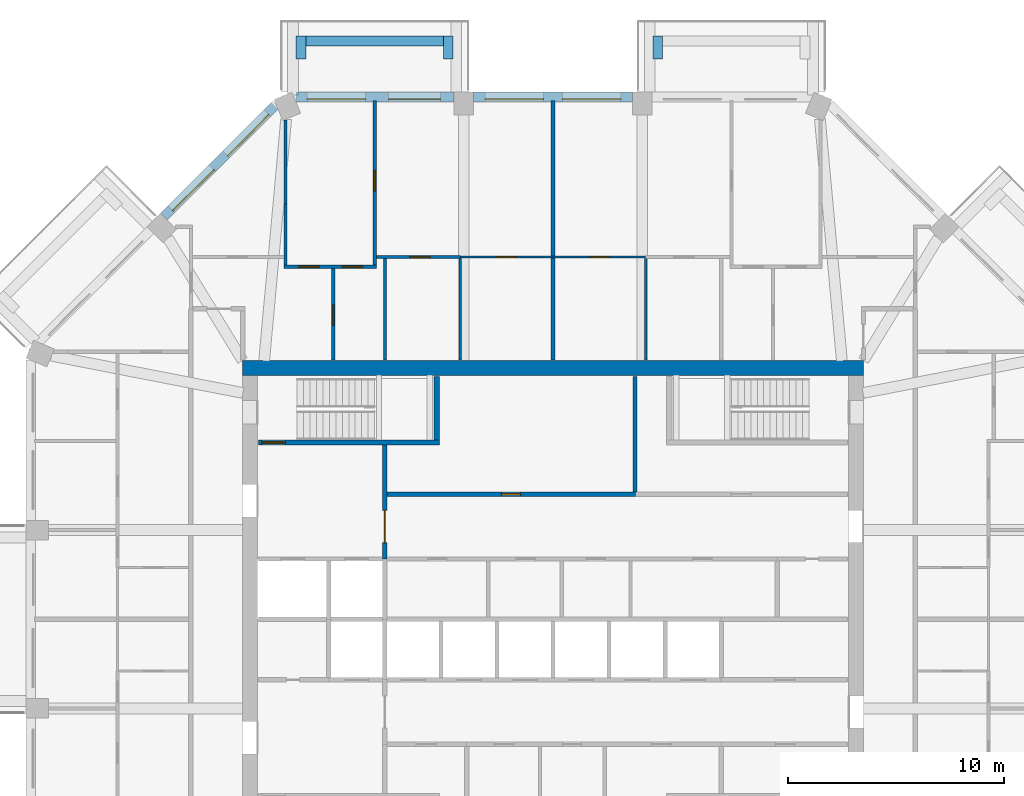
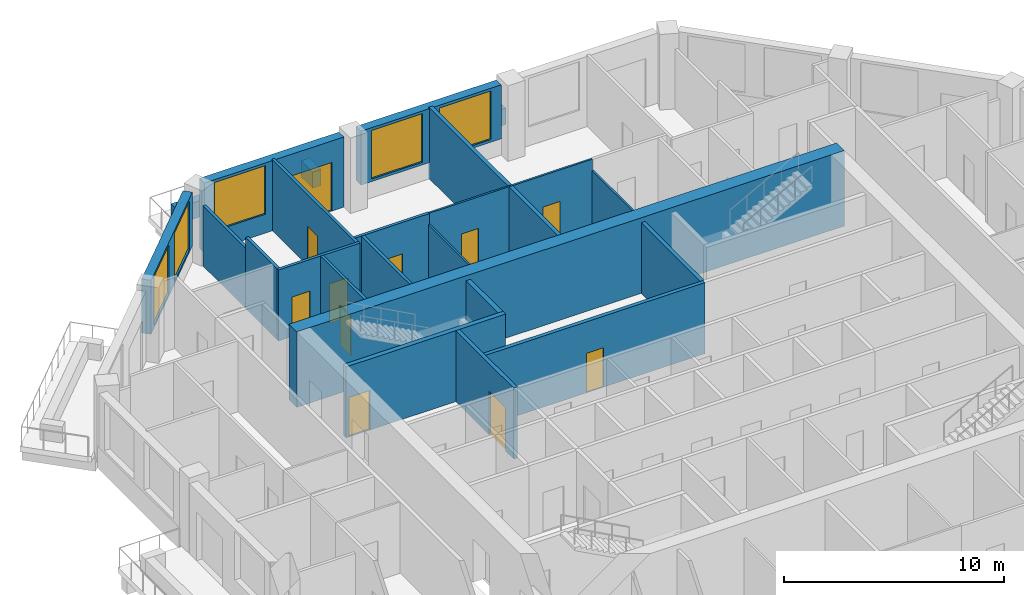
# One storey, part 8 of 12: 25 walls, 11 doors, 5 windows, 16 openings.
"""IFC4 building model written with IfcOpenShell, lengths in metres."""

from ifc_helpers import new_model, si_unit, direction, frame, frame_2d, origin, place, context, subcontext, project, spatial, rectangle, extrude, material, layer, layer_set, type_object, element, fill, save


model = new_model("IFC4")

# Units and contexts
model_context = context("Model", 3, precision=1e-05, world=origin(), true_north=direction((0.0, 1.0)))
body_context = subcontext(model_context, "Body", "Model", "MODEL_VIEW")
ifc_project = project(units=[si_unit("LENGTHUNIT", "METRE"), si_unit("AREAUNIT", "SQUARE_METRE"), si_unit("VOLUMEUNIT", "CUBIC_METRE"), si_unit("PLANEANGLEUNIT", "RADIAN"), si_unit("MASSUNIT", "GRAM", prefix="KILO")], contexts=[model_context])

# Site, building, storey
site_placement = place(None, origin())
site = spatial("IfcSite", under=ifc_project, at=site_placement, CompositionType="ELEMENT")
building_placement = place(site_placement, origin())
building = spatial("IfcBuilding", under=site, at=building_placement, Name="Msitu Wima Residences", CompositionType="ELEMENT")
storey_placement = place(building_placement, frame((0.0, 0.0, 179.10009765625)))
storey = spatial("IfcBuildingStorey", under=building, at=storey_placement, Name="L41", CompositionType="ELEMENT", Elevation=179.10009765625)

# Walls
ifc_material_1 = material(Name="Facing brick")
ifc_layer_1 = layer(ifc_material_1, 0.06494140625, Name="Facing brick")
ifc_material_2 = material(Name="Concrete C40/50", Category="concrete")
ifc_layer_2 = layer(ifc_material_2, 0.156005859375, Name="Concrete C40/50")
ifc_material_3 = material(Name="Waterproofing membrane")
ifc_layer_3 = layer(ifc_material_3, 0.00390625, Name="Waterproofing membrane")
ifc_material_4 = material(Name="Planting soil and planting")
ifc_layer_4 = layer(ifc_material_4, 0.22509765625, Name="Planting soil and planting")
ifc_layer_set_1 = layer_set([ifc_layer_1, ifc_layer_2, ifc_layer_3, ifc_layer_4], Name="Concrete C40/50")
wall_type_1 = type_object("IfcWallType", Name="Balcony planter PLANTER PL450", PredefinedType="USERDEFINED", material=ifc_layer_set_1)
wall_1_placement = place(storey_placement, frame((4.8623046875, 26.0, 0.0), z_axis=(0.0, 0.0, 1.0), x_axis=(0.0, 1.0, 0.0)))
element("IfcWall", 1, at=wall_1_placement, inside=storey, type_object=wall_type_1, Name="Balcony planter N0 L41", ObjectType="PLANTER", PredefinedType="USERDEFINED", context=body_context, shape_type="SweptSolid", body=[
    extrude(rectangle(XDim=1.050048828125, YDim=0.449951171875, at=frame_2d((0.52490234375, 0.0))), origin(), (0.0, 0.0, 1.0), 0.89990234375),
])
wall_2_placement = place(storey_placement, frame((-5.087158203125, 26.824951171875, 0.0), z_axis=(0.0, 0.0, 1.0), x_axis=(-1.0, 0.0, 0.0)))
element("IfcWall", 2, at=wall_2_placement, inside=storey, type_object=wall_type_1, Name="Balcony planter N2 L41", ObjectType="PLANTER", PredefinedType="USERDEFINED", context=body_context, shape_type="SweptSolid", body=[
    extrude(rectangle(XDim=6.37451171875, YDim=0.449951171875, at=frame_2d((3.187255859375, 0.0))), origin(), (0.0, 0.0, 1.0), 0.89990234375),
])
for number, where, z_axis, x_axis, name in (
    (3, (-4.8623046875, 26.0, 0.0), (0.0, 0.0, 1.0), (0.0, 1.0, 0.0), "Balcony planter N2 L41"),
    (4, (-11.686767578125, 26.0, 0.0), (0.0, 0.0, 1.0), (0.0, 1.0, 0.0), "Balcony planter N2 L41"),
):
    element("IfcWall", number, at=place(storey_placement, frame(where, z_axis=z_axis, x_axis=x_axis)), inside=storey, type_object=wall_type_1, Name=name, ObjectType="PLANTER", PredefinedType="USERDEFINED", context=body_context, shape_type="SweptSolid", body=[
        extrude(rectangle(XDim=1.050048828125, YDim=0.449951171875, at=frame_2d((0.52490234375, 0.0))), origin(), (0.0, 0.0, 1.0), 0.89990234375),
    ])

# Wall, openings, windows
ifc_material_5 = material(Name="Brick (red buff mix)", Category="masonry")
ifc_layer_5 = layer(ifc_material_5, 0.449951171875)
ifc_layer_set_2 = layer_set([ifc_layer_5], Name="Brick (red buff mix)")
wall_type_2 = type_object("IfcWallType", Name="Brick infill wall BW450", PredefinedType="SOLIDWALL", material=ifc_layer_set_2)
wall_3_placement = place(storey_placement, frame((3.687255859375, 24.22509765625, 0.89990234375), z_axis=(0.0, 0.0, 1.0), x_axis=(-1.0, 0.0, 0.0)))
wall_3 = element("IfcWall", 5, at=wall_3_placement, inside=storey, type_object=wall_type_2, Name="Brick infill wall L41 N1", PredefinedType="SOLIDWALL", context=body_context, shape_type="SweptSolid", body=[
    extrude(rectangle(XDim=7.37451171875, YDim=0.449951171875, at=frame_2d((3.687255859375, 0.0))), origin(), (0.0, 0.0, 1.0), 3.0),
])
opening_1_placement = place(wall_3_placement, frame((0.537353515625, 0.0, 0.14990234375)))
opening_1 = element("IfcOpeningElement", 6, at=opening_1_placement, cuts=wall_3, Name="Opening W40-42.007", PredefinedType="OPENING", context=body_context, shape_type="SweptSolid", body=[
    extrude(rectangle(XDim=2.699951171875, YDim=2.699951171875, at=frame_2d((1.35009765625, 1.35009765625))), frame((0.0, 0.23486328125, 0.0), z_axis=(0.0, -1.0, 0.0), x_axis=(1.0, 0.0, 0.0)), (0.0, 0.0, 1.0), 0.469970703125),
])
opening_2_placement = place(wall_3_placement, frame((4.13720703125, 0.0, 0.14990234375)))
opening_2 = element("IfcOpeningElement", 7, at=opening_2_placement, cuts=wall_3, Name="Opening W40-42.008", PredefinedType="OPENING", context=body_context, shape_type="SweptSolid", body=[
    extrude(rectangle(XDim=2.699951171875, YDim=2.699951171875, at=frame_2d((1.35009765625, 1.35009765625))), frame((0.0, 0.23486328125, 0.0), z_axis=(0.0, -1.0, 0.0), x_axis=(1.0, 0.0, 0.0)), (0.0, 0.0, 1.0), 0.469970703125),
])
ifc_material_6 = material(Name="Anodised aluminium, bronze finish, clear low-emissivity double glazing", Category="aluminium")
window_type = type_object("IfcWindowType", Name="Window W2700x2700", PartitioningType="DOUBLE_PANEL_VERTICAL", PredefinedType="WINDOW", material=ifc_material_6)
window_1_placement = place(opening_1_placement, origin())
window_1 = element("IfcWindow", 8, at=window_1_placement, inside=storey, type_object=window_type, Name="Window L41 N1.1", OverallHeight=2.699951171875, OverallWidth=2.699951171875, PartitioningType="SINGLE_PANEL", PredefinedType="WINDOW", context=body_context, shape_type="SweptSolid", body=[
    extrude(rectangle(XDim=2.699951171875, YDim=2.699951171875, at=frame_2d((1.35009765625, 1.35009765625))), frame((0.0, 0.135009765625, 0.0), z_axis=(0.0, -1.0, 0.0), x_axis=(1.0, 0.0, 0.0)), (0.0, 0.0, 1.0), 0.06005859375),
])
fill(opening_1, window_1)
window_2_placement = place(opening_2_placement, origin())
window_2 = element("IfcWindow", 9, at=window_2_placement, inside=storey, type_object=window_type, Name="Window L41 N1.2", OverallHeight=2.699951171875, OverallWidth=2.699951171875, PartitioningType="SINGLE_PANEL", PredefinedType="WINDOW", context=body_context, shape_type="SweptSolid", body=[
    extrude(rectangle(XDim=2.699951171875, YDim=2.699951171875, at=frame_2d((1.35009765625, 1.35009765625))), frame((0.0, 0.135009765625, 0.0), z_axis=(0.0, -1.0, 0.0), x_axis=(1.0, 0.0, 0.0)), (0.0, 0.0, 1.0), 0.06005859375),
])
fill(opening_2, window_2)

# Wall, openings, door, window
wall_4_placement = place(storey_placement, frame((-4.587158203125, 24.22509765625, 0.0), z_axis=(0.0, 0.0, 1.0), x_axis=(-1.0, 0.0, 0.0)))
wall_4 = element("IfcWall", 10, at=wall_4_placement, inside=storey, type_object=wall_type_2, Name="Brick infill wall L41 N2", PredefinedType="SOLIDWALL", context=body_context, shape_type="SweptSolid", body=[
    extrude(rectangle(XDim=7.337646484375, YDim=0.449951171875, at=frame_2d((3.6689453125, 0.0))), origin(), (0.0, 0.0, 1.0), 3.89990234375),
])
opening_3_placement = place(wall_4_placement, frame((0.63427734375, 0.0, 0.0)))
opening_3 = element("IfcOpeningElement", 11, at=opening_3_placement, cuts=wall_4, Name="Opening D40-42.003", PredefinedType="OPENING", context=body_context, shape_type="SweptSolid", body=[
    extrude(rectangle(XDim=2.39990234375, YDim=2.699951171875, at=frame_2d((1.199951171875, 1.35009765625))), frame((0.0, 0.23486328125, 0.0), z_axis=(0.0, -1.0, 0.0), x_axis=(1.0, 0.0, 0.0)), (0.0, 0.0, 1.0), 0.469970703125),
])
opening_4_placement = place(wall_4_placement, frame((4.11865234375, 0.0, 1.050048828125)))
opening_4 = element("IfcOpeningElement", 12, at=opening_4_placement, cuts=wall_4, Name="Opening W40-42.009", PredefinedType="OPENING", context=body_context, shape_type="SweptSolid", body=[
    extrude(rectangle(XDim=2.699951171875, YDim=2.699951171875, at=frame_2d((1.35009765625, 1.35009765625))), frame((0.0, 0.23486328125, 0.0), z_axis=(0.0, -1.0, 0.0), x_axis=(1.0, 0.0, 0.0)), (0.0, 0.0, 1.0), 0.469970703125),
])
door_type_1 = type_object("IfcDoorType", Name="Balcony door D2400x2700", OperationType="SLIDING_TO_LEFT", PredefinedType="DOOR", material=ifc_material_6)
door_1_placement = place(opening_3_placement, origin())
door_1 = element("IfcDoor", 13, at=door_1_placement, inside=storey, type_object=door_type_1, Name="Balcony door L41 N2", OperationType="SINGLE_SWING_LEFT", OverallHeight=2.699951171875, OverallWidth=2.39990234375, PredefinedType="DOOR", context=body_context, shape_type="SweptSolid", body=[
    extrude(rectangle(XDim=2.39990234375, YDim=2.699951171875, at=frame_2d((1.199951171875, 1.35009765625))), frame((0.0, 0.1298828125, 0.0), z_axis=(0.0, -1.0, 0.0), x_axis=(1.0, 0.0, 0.0)), (0.0, 0.0, 1.0), 0.050048828125),
])
fill(opening_3, door_1)
window_3_placement = place(opening_4_placement, origin())
window_3 = element("IfcWindow", 14, at=window_3_placement, inside=storey, type_object=window_type, Name="Window L41 N2.2", OverallHeight=2.699951171875, OverallWidth=2.699951171875, PartitioningType="SINGLE_PANEL", PredefinedType="WINDOW", context=body_context, shape_type="SweptSolid", body=[
    extrude(rectangle(XDim=2.699951171875, YDim=2.699951171875, at=frame_2d((1.35009765625, 1.35009765625))), frame((0.0, 0.135009765625, 0.0), z_axis=(0.0, -1.0, 0.0), x_axis=(1.0, 0.0, 0.0)), (0.0, 0.0, 1.0), 0.06005859375),
])
fill(opening_4, window_3)

# Wall, openings, windows
wall_5_placement = place(storey_placement, frame((-12.915283203125, 23.814697265625, 0.89990234375), z_axis=(0.0, 0.0, 1.0), x_axis=(-0.707106781187, -0.707106781187, 0.0)))
wall_5 = element("IfcWall", 15, at=wall_5_placement, inside=storey, type_object=wall_type_2, Name="Brick infill wall L41 NW0", PredefinedType="SOLIDWALL", context=body_context, shape_type="SweptSolid", body=[
    extrude(rectangle(XDim=7.257080078125, YDim=0.449951171875, at=frame_2d((3.62841796875, 0.0))), origin(), (0.0, 0.0, 1.0), 3.0),
])
opening_5_placement = place(wall_5_placement, frame((0.478515625, 0.0, 0.14990234375)))
opening_5 = element("IfcOpeningElement", 16, at=opening_5_placement, cuts=wall_5, Name="Opening W40-42.013", PredefinedType="OPENING", context=body_context, shape_type="SweptSolid", body=[
    extrude(rectangle(XDim=2.699951171875, YDim=2.699951171875, at=frame_2d((1.35009765625, 1.35009765625))), frame((0.0, 0.23486328125, 0.0), z_axis=(0.0, -1.0, 0.0), x_axis=(1.0, 0.0, 0.0)), (0.0, 0.0, 1.0), 0.469970703125),
])
opening_6_placement = place(wall_5_placement, frame((4.07861328125, 0.0, 0.14990234375)))
opening_6 = element("IfcOpeningElement", 17, at=opening_6_placement, cuts=wall_5, Name="Opening W40-42.014", PredefinedType="OPENING", context=body_context, shape_type="SweptSolid", body=[
    extrude(rectangle(XDim=2.699951171875, YDim=2.699951171875, at=frame_2d((1.35009765625, 1.35009765625))), frame((0.0, 0.23486328125, 0.0), z_axis=(0.0, -1.0, 0.0), x_axis=(1.0, 0.0, 0.0)), (0.0, 0.0, 1.0), 0.469970703125),
])
window_4_placement = place(opening_5_placement, origin())
window_4 = element("IfcWindow", 18, at=window_4_placement, inside=storey, type_object=window_type, Name="Window L41 NW0.1", OverallHeight=2.699951171875, OverallWidth=2.699951171875, PartitioningType="SINGLE_PANEL", PredefinedType="WINDOW", context=body_context, shape_type="SweptSolid", body=[
    extrude(rectangle(XDim=2.699951171875, YDim=2.699951171875, at=frame_2d((1.35009765625, 1.35009765625))), frame((0.0, 0.135009765625, 0.0), z_axis=(0.0, -1.0, 0.0), x_axis=(1.0, 0.0, 0.0)), (0.0, 0.0, 1.0), 0.06005859375),
])
fill(opening_5, window_4)
window_5_placement = place(opening_6_placement, origin())
window_5 = element("IfcWindow", 19, at=window_5_placement, inside=storey, type_object=window_type, Name="Window L41 NW0.2", OverallHeight=2.699951171875, OverallWidth=2.699951171875, PartitioningType="SINGLE_PANEL", PredefinedType="WINDOW", context=body_context, shape_type="SweptSolid", body=[
    extrude(rectangle(XDim=2.699951171875, YDim=2.699951171875, at=frame_2d((1.35009765625, 1.35009765625))), frame((0.0, 0.135009765625, 0.0), z_axis=(0.0, -1.0, 0.0), x_axis=(1.0, 0.0, 0.0)), (0.0, 0.0, 1.0), 0.06005859375),
])
fill(opening_6, window_5)

# Wall
ifc_material_7 = material(Name="Concrete C60/75", Category="concrete")
ifc_layer_6 = layer(ifc_material_7, 0.699951171875)
ifc_layer_set_3 = layer_set([ifc_layer_6], Name="Concrete C60/75")
wall_type_3 = type_object("IfcWallType", Name="Core wall CW700 C60/75", PredefinedType="SHEAR", material=ifc_layer_set_3)
wall_6_placement = place(storey_placement, frame((-14.39990234375, 11.64990234375, 0.0), z_axis=(0.0, 0.0, 1.0), x_axis=(1.0, 0.0, 0.0)))
element("IfcWall", 20, at=wall_6_placement, inside=storey, type_object=wall_type_3, Name="Core wall", PredefinedType="SHEAR", context=body_context, shape_type="SweptSolid", body=[
    extrude(rectangle(XDim=28.7998046875, YDim=0.699951171875, at=frame_2d((14.39990234375, 0.0))), origin(), (0.0, 0.0, 1.0), 4.199951171875),
])

# Wall, opening, door
ifc_material_8 = material(Name="Plaster")
ifc_layer_7 = layer(ifc_material_8, 0.011962890625, Name="Plaster")
ifc_material_9 = material(Name="Concrete blockwork", Category="masonry")
ifc_layer_8 = layer(ifc_material_9, 0.176025390625, Name="Concrete blockwork")
ifc_layer_9 = layer(ifc_material_8, 0.011962890625, Name="Plaster")
ifc_layer_set_4 = layer_set([ifc_layer_7, ifc_layer_8, ifc_layer_9], Name="Concrete blockwork")
wall_type_4 = type_object("IfcWallType", Name="Corridor wall FW200", PredefinedType="PARTITIONING", material=ifc_layer_set_4)
wall_7_placement = place(storey_placement, frame((-7.800048828125, 2.800048828125, 0.0), z_axis=(0.0, 0.0, 1.0), x_axis=(0.0, 1.0, 0.0)))
wall_7 = element("IfcWall", 21, at=wall_7_placement, inside=storey, type_object=wall_type_4, Name="Corridor wall", PredefinedType="PARTITIONING", context=body_context, shape_type="SweptSolid", body=[
    extrude(rectangle(XDim=5.27490234375, YDim=0.199951171875, at=frame_2d((2.637451171875, 0.0))), origin(), (0.0, 0.0, 1.0), 3.949951171875),
])
opening_7_placement = place(wall_7_placement, frame((0.75, 0.0, 0.0)))
opening_7 = element("IfcOpeningElement", 22, at=opening_7_placement, cuts=wall_7, Name="Opening D40-42.069", PredefinedType="OPENING", context=body_context, shape_type="SweptSolid", body=[
    extrude(rectangle(XDim=1.5, YDim=2.39990234375, at=frame_2d((0.75, 1.199951171875))), frame((0.0, 0.10986328125, 0.0), z_axis=(0.0, -1.0, 0.0), x_axis=(1.0, 0.0, 0.0)), (0.0, 0.0, 1.0), 0.219970703125),
])
ifc_material_10 = material(Name="Steel framed glazed door, fire resisting", Category="steel")
door_type_2 = type_object("IfcDoorType", Name="Lobby door D07 1500x2400", OperationType="DOUBLE_DOOR_SINGLE_SWING", PredefinedType="DOOR", material=ifc_material_10)
door_2_placement = place(opening_7_placement, origin())
door_2 = element("IfcDoor", 23, at=door_2_placement, inside=storey, type_object=door_type_2, Name="Lobby door", OperationType="DOUBLE_DOOR_SINGLE_SWING", OverallHeight=2.39990234375, OverallWidth=1.5, PredefinedType="DOOR", context=body_context, shape_type="SweptSolid", body=[
    extrude(rectangle(XDim=1.5, YDim=2.39990234375, at=frame_2d((0.75, 1.199951171875))), frame((0.0, 0.02490234375, 0.0), z_axis=(0.0, -1.0, 0.0), x_axis=(1.0, 0.0, 0.0)), (0.0, 0.0, 1.0), 0.050048828125),
])
fill(opening_7, door_2)

wall_8_placement = place(storey_placement, frame((-7.699951171875, 5.800048828125, 0.0), z_axis=(0.0, 0.0, 1.0), x_axis=(1.0, 0.0, 0.0)))
wall_8 = element("IfcWall", 24, at=wall_8_placement, inside=storey, type_object=wall_type_4, Name="Corridor wall", PredefinedType="PARTITIONING", context=body_context, shape_type="SweptSolid", body=[
    extrude(rectangle(XDim=11.52001953125, YDim=0.199951171875, at=frame_2d((5.760009765625, 0.0))), origin(), (0.0, 0.0, 1.0), 3.949951171875),
])
opening_8_placement = place(wall_8_placement, frame((5.300048828125, 0.0, 0.0)))
opening_8 = element("IfcOpeningElement", 25, at=opening_8_placement, cuts=wall_8, Name="Opening D40-42.072", PredefinedType="OPENING", context=body_context, shape_type="SweptSolid", body=[
    extrude(rectangle(XDim=0.89990234375, YDim=2.199951171875, at=frame_2d((0.449951171875, 1.10009765625))), frame((0.0, 0.10986328125, 0.0), z_axis=(0.0, -1.0, 0.0), x_axis=(1.0, 0.0, 0.0)), (0.0, 0.0, 1.0), 0.219970703125),
])
ifc_material_11 = material(Name="Timber flush door", Category="wood")
door_type_3 = type_object("IfcDoorType", Name="Service door D05 900x2200", OperationType="SINGLE_SWING_LEFT", PredefinedType="DOOR", material=ifc_material_11)
door_3_placement = place(opening_8_placement, origin())
door_3 = element("IfcDoor", 26, at=door_3_placement, inside=storey, type_object=door_type_3, Name="Service door", OperationType="SINGLE_SWING_LEFT", OverallHeight=2.199951171875, OverallWidth=0.89990234375, PredefinedType="DOOR", context=body_context, shape_type="SweptSolid", body=[
    extrude(rectangle(XDim=0.89990234375, YDim=2.199951171875, at=frame_2d((0.449951171875, 1.10009765625))), frame((0.0, 0.02490234375, 0.0), z_axis=(0.0, -1.0, 0.0), x_axis=(1.0, 0.0, 0.0)), (0.0, 0.0, 1.0), 0.050048828125),
])
fill(opening_8, door_3)

# Walls
ifc_layer_10 = layer(ifc_material_8, 0.011962890625, Name="Plaster")
ifc_layer_11 = layer(ifc_material_9, 0.1259765625, Name="Concrete blockwork")
ifc_layer_12 = layer(ifc_material_8, 0.011962890625, Name="Plaster")
ifc_layer_set_5 = layer_set([ifc_layer_10, ifc_layer_11, ifc_layer_12], Name="Concrete blockwork")
wall_type_5 = type_object("IfcWallType", Name="Partition PW150", PredefinedType="PARTITIONING", material=ifc_layer_set_5)
wall_9_placement = place(storey_placement, frame((-12.411865234375, 16.425048828125, 0.0), z_axis=(0.0, 0.0, 1.0), x_axis=(0.0, 1.0, 0.0)))
element("IfcWall", 27, at=wall_9_placement, inside=storey, type_object=wall_type_5, Name="Partition", PredefinedType="PARTITIONING", context=body_context, shape_type="SweptSolid", body=[
    extrude(rectangle(XDim=2.845458984375, YDim=0.14990234375, at=frame_2d((1.4228515625, 0.0))), origin(), (0.0, 0.0, 1.0), 3.949951171875),
])
wall_10_placement = place(storey_placement, frame((-12.411865234375, 19.2705078125, 0.0), z_axis=(0.0, 0.0, 1.0), x_axis=(0.0, 1.0, 0.0)))
element("IfcWall", 28, at=wall_10_placement, inside=storey, type_object=wall_type_5, Name="Partition", PredefinedType="PARTITIONING", context=body_context, shape_type="SweptSolid", body=[
    extrude(rectangle(XDim=3.8984375, YDim=0.14990234375, at=frame_2d((1.94921875, 0.0))), origin(), (0.0, 0.0, 1.0), 3.349853515625),
])

# Wall, openings, doors
wall_11_placement = place(storey_placement, frame((-12.48681640625, 16.35009765625, 0.0), z_axis=(0.0, 0.0, 1.0), x_axis=(1.0, 0.0, 0.0)))
wall_11 = element("IfcWall", 29, at=wall_11_placement, inside=storey, type_object=wall_type_5, Name="Partition", PredefinedType="PARTITIONING", context=body_context, shape_type="SweptSolid", body=[
    extrude(rectangle(XDim=4.287353515625, YDim=0.14990234375, at=frame_2d((2.1435546875, 0.0))), origin(), (0.0, 0.0, 1.0), 3.949951171875),
])
opening_9_placement = place(wall_11_placement, frame((0.699951171875, 0.0, 0.0)))
opening_9 = element("IfcOpeningElement", 30, at=opening_9_placement, cuts=wall_11, Name="Opening D40-42.031", PredefinedType="OPENING", context=body_context, shape_type="SweptSolid", body=[
    extrude(rectangle(XDim=0.949951171875, YDim=2.199951171875, at=frame_2d((0.47509765625, 1.10009765625))), frame((0.0, 0.0849609375, 0.0), z_axis=(0.0, -1.0, 0.0), x_axis=(1.0, 0.0, 0.0)), (0.0, 0.0, 1.0), 0.169921875),
])
opening_10_placement = place(wall_11_placement, frame((2.699951171875, 0.0, 0.0)))
opening_10 = element("IfcOpeningElement", 31, at=opening_10_placement, cuts=wall_11, Name="Opening D40-42.030", PredefinedType="OPENING", context=body_context, shape_type="SweptSolid", body=[
    extrude(rectangle(XDim=0.949951171875, YDim=2.199951171875, at=frame_2d((0.47509765625, 1.10009765625))), frame((0.0, 0.0849609375, 0.0), z_axis=(0.0, -1.0, 0.0), x_axis=(1.0, 0.0, 0.0)), (0.0, 0.0, 1.0), 0.169921875),
])
door_type_4 = type_object("IfcDoorType", Name="Room door D12 950x2200", OperationType="SINGLE_SWING_LEFT", PredefinedType="DOOR", material=ifc_material_11)
door_4_placement = place(opening_9_placement, origin())
door_4 = element("IfcDoor", 32, at=door_4_placement, inside=storey, type_object=door_type_4, Name="Room door", OperationType="SINGLE_SWING_LEFT", OverallHeight=2.199951171875, OverallWidth=0.949951171875, PredefinedType="DOOR", context=body_context, shape_type="SweptSolid", body=[
    extrude(rectangle(XDim=0.949951171875, YDim=2.199951171875, at=frame_2d((0.47509765625, 1.10009765625))), frame((0.0, 0.02490234375, 0.0), z_axis=(0.0, -1.0, 0.0), x_axis=(1.0, 0.0, 0.0)), (0.0, 0.0, 1.0), 0.050048828125),
])
fill(opening_9, door_4)
door_5_placement = place(opening_10_placement, origin())
door_5 = element("IfcDoor", 33, at=door_5_placement, inside=storey, type_object=door_type_4, Name="Room door", OperationType="SINGLE_SWING_RIGHT", OverallHeight=2.199951171875, OverallWidth=0.949951171875, PredefinedType="DOOR", context=body_context, shape_type="SweptSolid", body=[
    extrude(rectangle(XDim=0.949951171875, YDim=2.199951171875, at=frame_2d((0.47509765625, 1.10009765625))), frame((0.0, 0.02490234375, 0.0), z_axis=(0.0, -1.0, 0.0), x_axis=(1.0, 0.0, 0.0)), (0.0, 0.0, 1.0), 0.050048828125),
])
fill(opening_10, door_5)

# Wall, opening, door
wall_12_placement = place(storey_placement, frame((-10.199951171875, 12.030029296875, 0.0), z_axis=(0.0, 0.0, 1.0), x_axis=(0.0, 1.0, 0.0)))
wall_12 = element("IfcWall", 34, at=wall_12_placement, inside=storey, type_object=wall_type_5, Name="Partition", PredefinedType="PARTITIONING", context=body_context, shape_type="SweptSolid", body=[
    extrude(rectangle(XDim=4.244873046875, YDim=0.14990234375, at=frame_2d((2.12255859375, 0.0))), origin(), (0.0, 0.0, 1.0), 3.949951171875),
])
opening_11_placement = place(wall_12_placement, frame((1.60009765625, 0.0, 0.0)))
opening_11 = element("IfcOpeningElement", 35, at=opening_11_placement, cuts=wall_12, Name="Opening D40-42.026", PredefinedType="OPENING", context=body_context, shape_type="SweptSolid", body=[
    extrude(rectangle(XDim=0.949951171875, YDim=2.199951171875, at=frame_2d((0.47509765625, 1.10009765625))), frame((0.0, 0.0849609375, 0.0), z_axis=(0.0, -1.0, 0.0), x_axis=(1.0, 0.0, 0.0)), (0.0, 0.0, 1.0), 0.169921875),
])
door_6_placement = place(opening_11_placement, origin())
door_6 = element("IfcDoor", 36, at=door_6_placement, inside=storey, type_object=door_type_4, Name="Room door", OperationType="SINGLE_SWING_RIGHT", OverallHeight=2.199951171875, OverallWidth=0.949951171875, PredefinedType="DOOR", context=body_context, shape_type="SweptSolid", body=[
    extrude(rectangle(XDim=0.949951171875, YDim=2.199951171875, at=frame_2d((0.47509765625, 1.10009765625))), frame((0.0, 0.02490234375, 0.0), z_axis=(0.0, -1.0, 0.0), x_axis=(1.0, 0.0, 0.0)), (0.0, 0.0, 1.0), 0.050048828125),
])
fill(opening_11, door_6)

wall_13_placement = place(storey_placement, frame((-8.2744140625, 16.425048828125, 0.0), z_axis=(0.0, 0.0, 1.0), x_axis=(0.0, 1.0, 0.0)))
wall_13 = element("IfcWall", 37, at=wall_13_placement, inside=storey, type_object=wall_type_5, Name="Partition", PredefinedType="PARTITIONING", context=body_context, shape_type="SweptSolid", body=[
    extrude(rectangle(XDim=7.6298828125, YDim=0.14990234375, at=frame_2d((3.81494140625, 0.0))), origin(), (0.0, 0.0, 1.0), 3.949951171875),
])
opening_12_placement = place(wall_13_placement, frame((3.449951171875, 0.0, 0.0)))
opening_12 = element("IfcOpeningElement", 38, at=opening_12_placement, cuts=wall_13, Name="Opening D40-42.034", PredefinedType="OPENING", context=body_context, shape_type="SweptSolid", body=[
    extrude(rectangle(XDim=0.949951171875, YDim=2.199951171875, at=frame_2d((0.47509765625, 1.10009765625))), frame((0.0, 0.0849609375, 0.0), z_axis=(0.0, -1.0, 0.0), x_axis=(1.0, 0.0, 0.0)), (0.0, 0.0, 1.0), 0.169921875),
])
door_7_placement = place(opening_12_placement, origin())
door_7 = element("IfcDoor", 39, at=door_7_placement, inside=storey, type_object=door_type_4, Name="Room door", OperationType="SINGLE_SWING_LEFT", OverallHeight=2.199951171875, OverallWidth=0.949951171875, PredefinedType="DOOR", context=body_context, shape_type="SweptSolid", body=[
    extrude(rectangle(XDim=0.949951171875, YDim=2.199951171875, at=frame_2d((0.47509765625, 1.10009765625))), frame((0.0, 0.02490234375, 0.0), z_axis=(0.0, -1.0, 0.0), x_axis=(1.0, 0.0, 0.0)), (0.0, 0.0, 1.0), 0.050048828125),
])
fill(opening_12, door_7)

wall_14_placement = place(storey_placement, frame((-8.199462890625, 16.800048828125, 0.0), z_axis=(0.0, 0.0, 1.0), x_axis=(1.0, 0.0, 0.0)))
wall_14 = element("IfcWall", 40, at=wall_14_placement, inside=storey, type_object=wall_type_5, Name="Partition", PredefinedType="PARTITIONING", context=body_context, shape_type="SweptSolid", body=[
    extrude(rectangle(XDim=3.8994140625, YDim=0.14990234375, at=frame_2d((1.94970703125, 0.0))), origin(), (0.0, 0.0, 1.0), 3.949951171875),
])
opening_13_placement = place(wall_14_placement, frame((1.550048828125, 0.0, 0.0)))
opening_13 = element("IfcOpeningElement", 41, at=opening_13_placement, cuts=wall_14, Name="Opening D40-42.028", PredefinedType="OPENING", context=body_context, shape_type="SweptSolid", body=[
    extrude(rectangle(XDim=0.949951171875, YDim=2.199951171875, at=frame_2d((0.47509765625, 1.10009765625))), frame((0.0, 0.0849609375, 0.0), z_axis=(0.0, -1.0, 0.0), x_axis=(1.0, 0.0, 0.0)), (0.0, 0.0, 1.0), 0.169921875),
])
door_8_placement = place(opening_13_placement, origin())
door_8 = element("IfcDoor", 42, at=door_8_placement, inside=storey, type_object=door_type_4, Name="Room door", OperationType="SINGLE_SWING_LEFT", OverallHeight=2.199951171875, OverallWidth=0.949951171875, PredefinedType="DOOR", context=body_context, shape_type="SweptSolid", body=[
    extrude(rectangle(XDim=0.949951171875, YDim=2.199951171875, at=frame_2d((0.47509765625, 1.10009765625))), frame((0.0, 0.02490234375, 0.0), z_axis=(0.0, -1.0, 0.0), x_axis=(1.0, 0.0, 0.0)), (0.0, 0.0, 1.0), 0.050048828125),
])
fill(opening_13, door_8)

# Walls
wall_15_placement = place(storey_placement, frame((-7.800048828125, 12.030029296875, 0.0), z_axis=(0.0, 0.0, 1.0), x_axis=(0.0, 1.0, 0.0)))
element("IfcWall", 43, at=wall_15_placement, inside=storey, type_object=wall_type_5, Name="Partition", PredefinedType="PARTITIONING", context=body_context, shape_type="SweptSolid", body=[
    extrude(rectangle(XDim=4.695068359375, YDim=0.14990234375, at=frame_2d((2.34765625, 0.0))), origin(), (0.0, 0.0, 1.0), 3.949951171875),
])
ifc_layer_13 = layer(ifc_material_8, 0.011962890625, Name="Plaster")
ifc_material_12 = material(Name="Dense concrete blockwork", Category="masonry")
ifc_layer_14 = layer(ifc_material_12, 0.176025390625, Name="Dense concrete blockwork")
ifc_layer_15 = layer(ifc_material_8, 0.011962890625, Name="Plaster")
ifc_layer_set_6 = layer_set([ifc_layer_13, ifc_layer_14, ifc_layer_15], Name="Dense concrete blockwork")
wall_type_6 = type_object("IfcWallType", Name="Party wall PW200", PredefinedType="PARTITIONING", material=ifc_layer_set_6)
wall_16_placement = place(storey_placement, frame((0.0, 12.030029296875, 0.0), z_axis=(0.0, 0.0, 1.0), x_axis=(0.0, 1.0, 0.0)))
element("IfcWall", 44, at=wall_16_placement, inside=storey, type_object=wall_type_6, Name="Party wall", PredefinedType="PARTITIONING", context=body_context, shape_type="SweptSolid", body=[
    extrude(rectangle(XDim=12.02490234375, YDim=0.199951171875, at=frame_2d((6.012451171875, 0.0))), origin(), (0.0, 0.0, 1.0), 3.949951171875),
])
ifc_layer_16 = layer(ifc_material_8, 0.011962890625, Name="Plaster")
ifc_material_13 = material(Name="Reinforced concrete blockwork", Category="masonry")
ifc_layer_17 = layer(ifc_material_13, 0.176025390625, Name="Reinforced concrete blockwork")
ifc_layer_18 = layer(ifc_material_8, 0.011962890625, Name="Plaster")
ifc_layer_set_7 = layer_set([ifc_layer_16, ifc_layer_17, ifc_layer_18], Name="Reinforced concrete blockwork")
wall_type_7 = type_object("IfcWallType", Name="Plant and riser wall PL200", PredefinedType="PARTITIONING", material=ifc_layer_set_7)
wall_17_placement = place(storey_placement, frame((3.800048828125, 5.89990234375, 0.0), z_axis=(0.0, 0.0, 1.0), x_axis=(0.0, 1.0, 0.0)))
element("IfcWall", 45, at=wall_17_placement, inside=storey, type_object=wall_type_7, Name="Plant and riser wall", PredefinedType="PARTITIONING", context=body_context, shape_type="SweptSolid", body=[
    extrude(rectangle(XDim=5.3701171875, YDim=0.199951171875, at=frame_2d((2.68505859375, 0.0))), origin(), (0.0, 0.0, 1.0), 3.949951171875),
])

# Wall, opening, door
ifc_material_14 = material(Name="Concrete C50/60", Category="concrete")
ifc_layer_19 = layer(ifc_material_14, 0.25)
ifc_layer_set_8 = layer_set([ifc_layer_19], Name="Concrete C50/60")
wall_type_8 = type_object("IfcWallType", Name="Stair enclosure wall SW250", PredefinedType="SHEAR", material=ifc_layer_set_8)
wall_18_placement = place(storey_placement, frame((-13.669921875, 8.199951171875, 0.0), z_axis=(0.0, 0.0, 1.0), x_axis=(1.0, 0.0, 0.0)))
wall_18 = element("IfcWall", 46, at=wall_18_placement, inside=storey, type_object=wall_type_8, Name="Stair enclosure wall", PredefinedType="SHEAR", context=body_context, shape_type="SweptSolid", body=[
    extrude(rectangle(XDim=8.39501953125, YDim=0.25, at=frame_2d((4.197509765625, 0.0))), origin(), (0.0, 0.0, 1.0), 3.949951171875),
])
opening_14_placement = place(wall_18_placement, frame((0.14990234375, 0.0, 0.0)))
opening_14 = element("IfcOpeningElement", 47, at=opening_14_placement, cuts=wall_18, Name="Opening D40-42.088", PredefinedType="OPENING", context=body_context, shape_type="SweptSolid", body=[
    extrude(rectangle(XDim=1.10009765625, YDim=2.199951171875, at=frame_2d((0.550048828125, 1.10009765625))), frame((0.0, 0.135009765625, 0.0), z_axis=(0.0, -1.0, 0.0), x_axis=(1.0, 0.0, 0.0)), (0.0, 0.0, 1.0), 0.27001953125),
])
ifc_material_15 = material(Name="Steel door, fire resisting, panic bar", Category="steel")
door_type_5 = type_object("IfcDoorType", Name="Stair door D06 1100x2200", OperationType="SINGLE_SWING_LEFT", PredefinedType="DOOR", material=ifc_material_15)
door_9_placement = place(opening_14_placement, origin())
door_9 = element("IfcDoor", 48, at=door_9_placement, inside=storey, type_object=door_type_5, Name="Stair door", OperationType="SINGLE_SWING_LEFT", OverallHeight=2.199951171875, OverallWidth=1.10009765625, PredefinedType="DOOR", context=body_context, shape_type="SweptSolid", body=[
    extrude(rectangle(XDim=1.10009765625, YDim=2.199951171875, at=frame_2d((0.550048828125, 1.10009765625))), frame((0.0, 0.02490234375, 0.0), z_axis=(0.0, -1.0, 0.0), x_axis=(1.0, 0.0, 0.0)), (0.0, 0.0, 1.0), 0.050048828125),
])
fill(opening_14, door_9)

# Walls
wall_19_placement = place(storey_placement, frame((-5.39990234375, 8.324951171875, 0.0), z_axis=(0.0, 0.0, 1.0), x_axis=(0.0, 1.0, 0.0)))
element("IfcWall", 49, at=wall_19_placement, inside=storey, type_object=wall_type_8, Name="Stair enclosure wall", PredefinedType="SHEAR", context=body_context, shape_type="SweptSolid", body=[
    extrude(rectangle(XDim=2.945068359375, YDim=0.25, at=frame_2d((1.47265625, 0.0))), origin(), (0.0, 0.0, 1.0), 3.949951171875),
])
ifc_material_16 = material(Name="Ceramic tiles")
ifc_layer_20 = layer(ifc_material_16, 0.008056640625, Name="Ceramic tiles")
ifc_material_17 = material(Name="Moisture-resistant board")
ifc_layer_21 = layer(ifc_material_17, 0.012451171875, Name="Moisture-resistant board")
ifc_material_18 = material(Name="Light-gauge stud framing with mineral wool")
ifc_layer_22 = layer(ifc_material_18, 0.06689453125, Name="Light-gauge stud framing with mineral wool")
ifc_layer_23 = layer(ifc_material_17, 0.012451171875, Name="Moisture-resistant board")
ifc_layer_set_9 = layer_set([ifc_layer_20, ifc_layer_21, ifc_layer_22, ifc_layer_23], Name="Light-gauge stud framing with mineral wool")
wall_type_9 = type_object("IfcWallType", Name="Wet wall PW100", PredefinedType="PARTITIONING", material=ifc_layer_set_9)
wall_20_placement = place(storey_placement, frame((-4.300048828125, 12.030029296875, 0.0), z_axis=(0.0, 0.0, 1.0), x_axis=(0.0, 1.0, 0.0)))
element("IfcWall", 50, at=wall_20_placement, inside=storey, type_object=wall_type_9, Name="Wet wall", PredefinedType="PARTITIONING", context=body_context, shape_type="SweptSolid", body=[
    extrude(rectangle(XDim=4.695068359375, YDim=0.10009765625, at=frame_2d((2.34765625, 0.0))), origin(), (0.0, 0.0, 1.0), 3.349853515625),
])

# Wall, opening, door
wall_21_placement = place(storey_placement, frame((-4.300048828125, 16.800048828125, 0.0), z_axis=(0.0, 0.0, 1.0), x_axis=(1.0, 0.0, 0.0)))
wall_21 = element("IfcWall", 51, at=wall_21_placement, inside=storey, type_object=wall_type_9, Name="Wet wall", PredefinedType="PARTITIONING", context=body_context, shape_type="SweptSolid", body=[
    extrude(rectangle(XDim=4.300048828125, YDim=0.10009765625, at=frame_2d((2.14990234375, 0.0))), origin(), (0.0, 0.0, 1.0), 3.949951171875),
])
opening_15_placement = place(wall_21_placement, frame((1.699951171875, 0.0, 0.0)))
opening_15 = element("IfcOpeningElement", 52, at=opening_15_placement, cuts=wall_21, Name="Opening D40-42.027", PredefinedType="OPENING", context=body_context, shape_type="SweptSolid", body=[
    extrude(rectangle(XDim=0.89990234375, YDim=2.199951171875, at=frame_2d((0.449951171875, 1.10009765625))), frame((0.0, 0.06005859375, 0.0), z_axis=(0.0, -1.0, 0.0), x_axis=(1.0, 0.0, 0.0)), (0.0, 0.0, 1.0), 0.1201171875),
])
ifc_material_19 = material(Name="Timber flush door, moisture resistant", Category="wood")
door_type_6 = type_object("IfcDoorType", Name="Bathroom door D03 900x2200", OperationType="SINGLE_SWING_LEFT", PredefinedType="DOOR", material=ifc_material_19)
door_10_placement = place(opening_15_placement, origin())
door_10 = element("IfcDoor", 53, at=door_10_placement, inside=storey, type_object=door_type_6, Name="Bathroom door", OperationType="SINGLE_SWING_LEFT", OverallHeight=2.199951171875, OverallWidth=0.89990234375, PredefinedType="DOOR", context=body_context, shape_type="SweptSolid", body=[
    extrude(rectangle(XDim=0.89990234375, YDim=2.199951171875, at=frame_2d((0.449951171875, 1.10009765625))), frame((0.0, 0.02490234375, 0.0), z_axis=(0.0, -1.0, 0.0), x_axis=(1.0, 0.0, 0.0)), (0.0, 0.0, 1.0), 0.050048828125),
])
fill(opening_15, door_10)

wall_22_placement = place(storey_placement, frame((0.0, 16.800048828125, 0.0), z_axis=(0.0, 0.0, 1.0), x_axis=(1.0, 0.0, 0.0)))
wall_22 = element("IfcWall", 54, at=wall_22_placement, inside=storey, type_object=wall_type_9, Name="Wet wall", PredefinedType="PARTITIONING", context=body_context, shape_type="SweptSolid", body=[
    extrude(rectangle(XDim=4.300048828125, YDim=0.10009765625, at=frame_2d((2.14990234375, 0.0))), origin(), (0.0, 0.0, 1.0), 3.949951171875),
])
opening_16_placement = place(wall_22_placement, frame((1.699951171875, 0.0, 0.0)))
opening_16 = element("IfcOpeningElement", 55, at=opening_16_placement, cuts=wall_22, Name="Opening D40-42.013", PredefinedType="OPENING", context=body_context, shape_type="SweptSolid", body=[
    extrude(rectangle(XDim=0.89990234375, YDim=2.199951171875, at=frame_2d((0.449951171875, 1.10009765625))), frame((0.0, 0.06005859375, 0.0), z_axis=(0.0, -1.0, 0.0), x_axis=(1.0, 0.0, 0.0)), (0.0, 0.0, 1.0), 0.1201171875),
])
door_11_placement = place(opening_16_placement, origin())
door_11 = element("IfcDoor", 56, at=door_11_placement, inside=storey, type_object=door_type_6, Name="Bathroom door", OperationType="SINGLE_SWING_RIGHT", OverallHeight=2.199951171875, OverallWidth=0.89990234375, PredefinedType="DOOR", context=body_context, shape_type="SweptSolid", body=[
    extrude(rectangle(XDim=0.89990234375, YDim=2.199951171875, at=frame_2d((0.449951171875, 1.10009765625))), frame((0.0, 0.02490234375, 0.0), z_axis=(0.0, -1.0, 0.0), x_axis=(1.0, 0.0, 0.0)), (0.0, 0.0, 1.0), 0.050048828125),
])
fill(opening_16, door_11)

# Wall
wall_23_placement = place(storey_placement, frame((4.300048828125, 12.030029296875, 0.0), z_axis=(0.0, 0.0, 1.0), x_axis=(0.0, 1.0, 0.0)))
element("IfcWall", 57, at=wall_23_placement, inside=storey, type_object=wall_type_9, Name="Wet wall", PredefinedType="PARTITIONING", context=body_context, shape_type="SweptSolid", body=[
    extrude(rectangle(XDim=4.695068359375, YDim=0.10009765625, at=frame_2d((2.34765625, 0.0))), origin(), (0.0, 0.0, 1.0), 3.349853515625),
])

save(model, "model.ifc")
